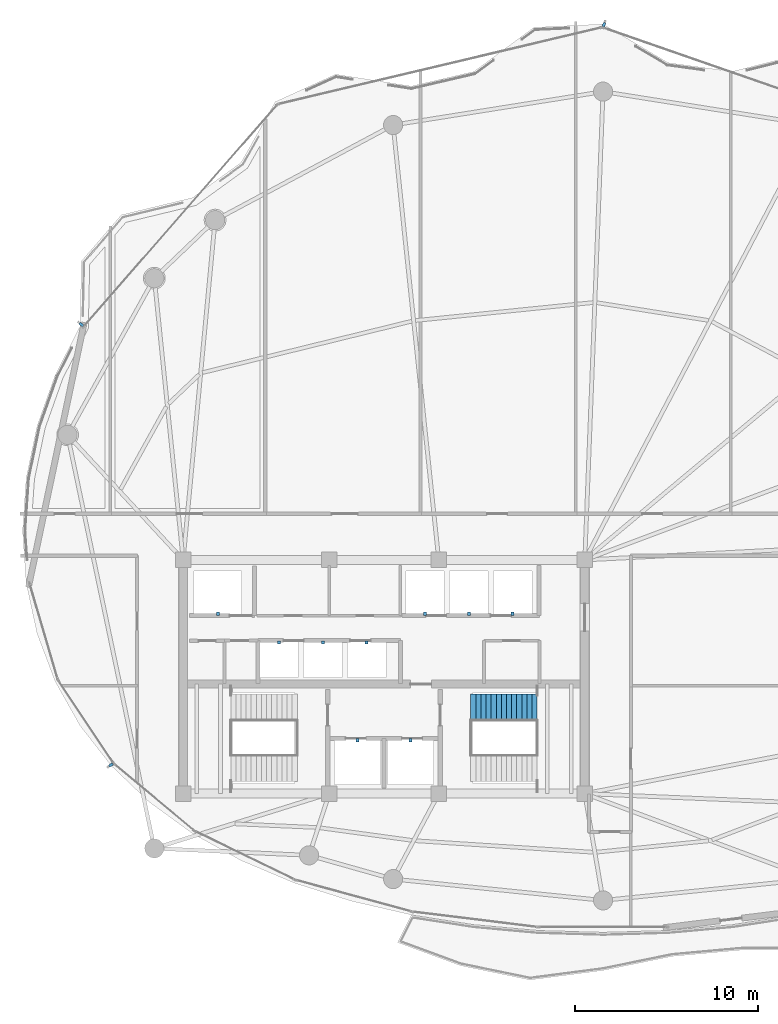
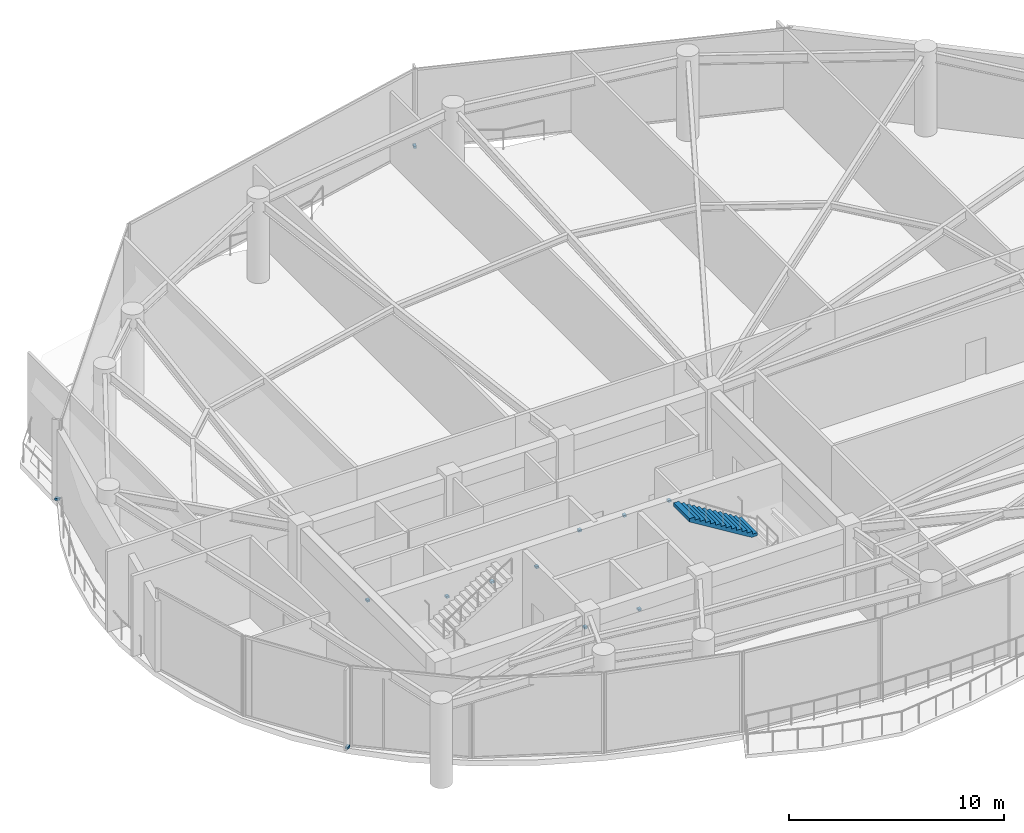
# One storey, part 25 of 28: 12 discrete accessories, 1 stair flight, 1 element without a shape of its own.
"""IFC4 building model written with IfcOpenShell, lengths in metres."""

from ifc_helpers import new_model, si_unit, direction, frame, origin, origin_2d, place, context, subcontext, project, spatial, polyline, rectangle, outline, extrude, material, layer, layer_set, type_object, element, aggregate, save


model = new_model("IFC4")

# Units and contexts
model_context = context("Model", 3, precision=1e-05, world=origin(), true_north=direction((0.0, 1.0)))
body_context = subcontext(model_context, "Body", "Model", "MODEL_VIEW")
ifc_project = project(units=[si_unit("LENGTHUNIT", "METRE"), si_unit("AREAUNIT", "SQUARE_METRE"), si_unit("VOLUMEUNIT", "CUBIC_METRE"), si_unit("PLANEANGLEUNIT", "RADIAN"), si_unit("MASSUNIT", "GRAM", prefix="KILO")], contexts=[model_context])

# Site, building, storey
site_placement = place(None, origin())
site = spatial("IfcSite", under=ifc_project, at=site_placement, CompositionType="ELEMENT")
building_placement = place(site_placement, origin())
building = spatial("IfcBuilding", under=site, at=building_placement, Name="Kazevale Care Tower and Concert Hall", CompositionType="ELEMENT")
storey_placement = place(building_placement, frame((0.0, 0.0, 190.800048828125)))
storey = spatial("IfcBuildingStorey", under=building, at=storey_placement, Name="L50", CompositionType="ELEMENT", Elevation=190.800048828125)

# Stair, stair flight
ifc_material_1 = material(Name="Concrete C40", Category="concrete")
stair_type = type_object("IfcStairType", Name="Exit Stair Assembly ST1-S", PredefinedType="HALF_TURN_STAIR", material=ifc_material_1)
stair_placement = place(storey_placement, origin())
stair = element("IfcStair", 1, at=stair_placement, inside=storey, type_object=stair_type, Name="stair:L50:ST2", PredefinedType="HALF_TURN_STAIR")
ifc_layer = layer(ifc_material_1, 0.159912109375)
ifc_layer_set = layer_set([ifc_layer], Name="Concrete C40")
stair_flight_type = type_object("IfcStairFlightType", Name="Exit Stair Flight ST1-S", PredefinedType="STRAIGHT", material=ifc_layer_set)
stair_flight_placement = place(storey_placement, frame((41.389892578125, 28.304931640625, 2.39990234375), z_axis=(0.0, 0.0, 1.0), x_axis=(-1.0, 0.0, 0.0)))
stair_flight = element("IfcStairFlight", 2, at=stair_flight_placement, type_object=stair_flight_type, Name="ST1-S flight 2", NumberOfRisers=14, NumberOfTreads=13, PredefinedType="STRAIGHT", RiserHeight=0.171429, TreadLength=0.28, context=body_context, shape_type="SweptSolid", body=[
    extrude(outline(polyline([(0.0, 0.0), (0.0, 0.17138671875), (0.280029296875, 0.17138671875), (0.280029296875, 0.3427734375), (0.56005859375, 0.3427734375), (0.56005859375, 0.514404296875), (0.840087890625, 0.514404296875), (0.840087890625, 0.685791015625), (1.1201171875, 0.685791015625), (1.1201171875, 0.857177734375), (1.39990234375, 0.857177734375), (1.39990234375, 1.028564453125), (1.679931640625, 1.028564453125), (1.679931640625, 1.199951171875), (1.9599609375, 1.199951171875), (1.9599609375, 1.371337890625), (2.239990234375, 1.371337890625), (2.239990234375, 1.54296875), (2.52001953125, 1.54296875), (2.52001953125, 1.71435546875), (2.800048828125, 1.71435546875), (2.800048828125, 1.8857421875), (3.080078125, 1.8857421875), (3.080078125, 2.05712890625), (3.360107421875, 2.05712890625), (3.360107421875, 2.228515625), (3.639892578125, 2.228515625), (3.639892578125, 2.39990234375), (3.639892578125, 2.041015625), (0.30615234375, 0.0), (0.0, 0.0)])), frame((0.0, 0.7451171875, 0.0), z_axis=(0.0, -1.0, 0.0), x_axis=(1.0, 0.0, 0.0)), (0.0, 0.0, 1.0), 1.489990234375),
])
aggregate(stair, [stair_flight])

# Discrete accessories
ifc_material_2 = material(Name="Stainless Steel 316", Category="steel")
discrete_accessory_type_1 = type_object("IfcDiscreteAccessoryType", Name="Facade Fin Stainless Anchor Bracket BRK-1", PredefinedType="BRACKET", material=ifc_material_2)
for number, where, z_axis, x_axis, name in (
    (3, (18.04443359375, 25.1689453125, 0.0), (0.0, 0.0, 1.0), (-0.832147748683, -0.554553986878, 0.0), "cw:L50:f11:brk"),
    (4, (16.42626953125, 49.291015625, 0.0), (0.0, 0.0, 1.0), (-0.753792813636, 0.657112162503, 0.0), "cw:L50:f14:brk"),
    (5, (45.047607421875, 65.71533203125, 0.0), (0.0, 0.0, 1.0), (0.328536977169, 0.944491108816, 0.0), "cw:L50:f16:brk"),
):
    element("IfcDiscreteAccessory", number, at=place(storey_placement, frame(where, z_axis=z_axis, x_axis=x_axis)), inside=storey, type_object=discrete_accessory_type_1, Name=name, PredefinedType="BRACKET", context=body_context, shape_type="SweptSolid", body=[
        extrude(rectangle(XDim=0.239990234375, YDim=0.139892578125, at=origin_2d()), origin(), (0.0, 0.0, 1.0), 0.1201171875),
    ])
discrete_accessory_type_2 = type_object("IfcDiscreteAccessoryType", Name="Hoistway Guide-Rail Wall Bracket HBRK-1", PredefinedType="BRACKET", material=ifc_material_2)
for number, where, z_axis, x_axis, name in (
    (6, (31.550048828125, 26.52001953125, 1.239990234375), (0.0, 0.0, 1.0), (1.0, 0.0, 0.0), "hbrk:FFL-1:L50"),
    (7, (34.449951171875, 26.52001953125, 1.239990234375), (0.0, 0.0, 1.0), (1.0, 0.0, 0.0), "hbrk:FFL-2:L50"),
    (8, (23.89990234375, 33.449951171875, 1.239990234375), (0.0, 0.0, 1.0), (1.0, 0.0, 0.0), "hbrk:SVL-1:L50"),
    (9, (35.25, 33.449951171875, 1.239990234375), (0.0, 0.0, 1.0), (1.0, 0.0, 0.0), "hbrk:PM-1:L50"),
    (10, (37.64990234375, 33.449951171875, 1.239990234375), (0.0, 0.0, 1.0), (1.0, 0.0, 0.0), "hbrk:PM-2:L50"),
    (11, (40.050048828125, 33.449951171875, 1.239990234375), (0.0, 0.0, 1.0), (1.0, 0.0, 0.0), "hbrk:PM-3:L50"),
    (12, (27.25, 31.8798828125, 1.239990234375), (0.0, 0.0, 1.0), (1.0, 0.0, 0.0), "hbrk:PH-1:L50"),
    (13, (29.64990234375, 31.8798828125, 1.239990234375), (0.0, 0.0, 1.0), (1.0, 0.0, 0.0), "hbrk:PH-2:L50"),
    (14, (32.050048828125, 31.8798828125, 1.239990234375), (0.0, 0.0, 1.0), (1.0, 0.0, 0.0), "hbrk:PH-3:L50"),
):
    element("IfcDiscreteAccessory", number, at=place(storey_placement, frame(where, z_axis=z_axis, x_axis=x_axis)), inside=storey, type_object=discrete_accessory_type_2, Name=name, PredefinedType="BRACKET", context=body_context, shape_type="SweptSolid", body=[
        extrude(rectangle(XDim=0.159912109375, YDim=0.179931640625, at=origin_2d()), origin(), (0.0, 0.0, 1.0), 0.1201171875),
    ])

save(model, "model.ifc")
